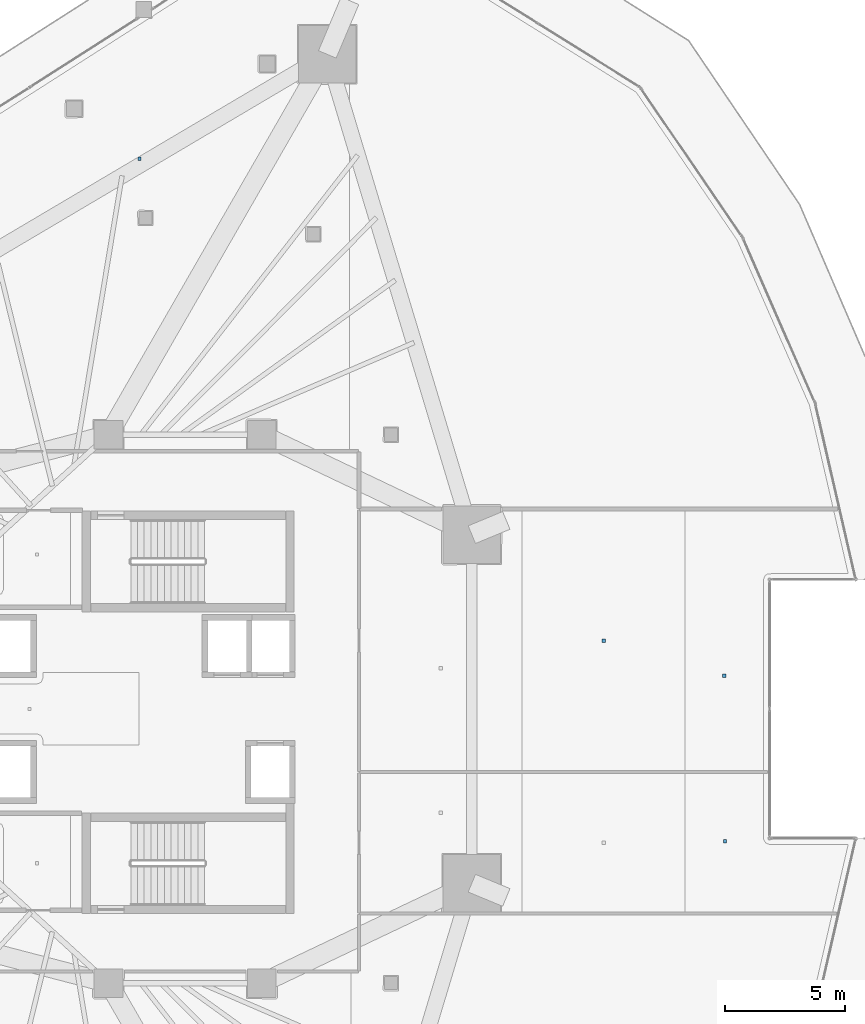
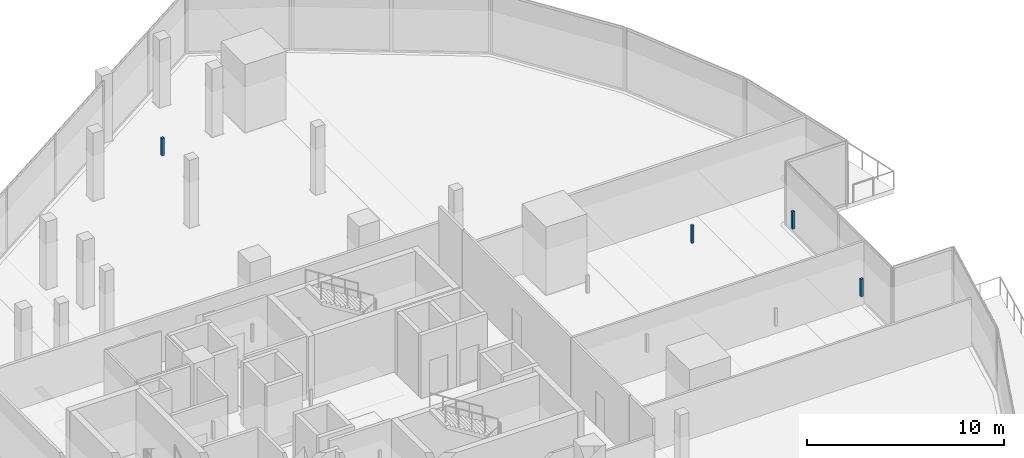
# One storey, part 33 of 42: 4 discrete accessories.
"""IFC4 building model written with IfcOpenShell, lengths in metres."""

from ifc_helpers import new_model, si_unit, direction, frame, origin, origin_2d, place, context, subcontext, project, spatial, rectangle, extrude, material, type_object, element, save


model = new_model("IFC4")

# Units and contexts
model_context = context("Model", 3, precision=1e-05, world=origin(), true_north=direction((0.0, 1.0)))
body_context = subcontext(model_context, "Body", "Model", "MODEL_VIEW")
ifc_project = project(units=[si_unit("LENGTHUNIT", "METRE"), si_unit("AREAUNIT", "SQUARE_METRE"), si_unit("VOLUMEUNIT", "CUBIC_METRE"), si_unit("PLANEANGLEUNIT", "RADIAN"), si_unit("MASSUNIT", "GRAM", prefix="KILO")], contexts=[model_context])

# Site, building, storey
site_placement = place(None, origin())
site = spatial("IfcSite", under=ifc_project, at=site_placement, CompositionType="ELEMENT")
building_placement = place(site_placement, origin())
building = spatial("IfcBuilding", under=site, at=building_placement, Name="Qorvath Tower", CompositionType="ELEMENT")
storey_placement = place(building_placement, frame((0.0, 0.0, 32.39990234375)))
storey = spatial("IfcBuildingStorey", under=building, at=storey_placement, Name="L06", CompositionType="ELEMENT", Elevation=32.39990234375)

# Discrete accessories
ifc_material = material(Name="Galvanised steel bracket", Category="steel")
discrete_accessory_type = type_object("IfcDiscreteAccessoryType", Name="DA-BRACKET", PredefinedType="BRACKET", material=ifc_material)
for number, where, z_axis, x_axis, name in (
    (1, (-22.31005859375, 22.970703125, 2.85986328125), (0.0, 0.0, 1.0), (1.0, 0.0, 0.0), "Acoustic Ceiling Suspension Hanger T1-L06-011"),
    (2, (-2.92626953125, 2.853515625, 2.85986328125), (0.0, 0.0, 1.0), (1.0, 0.0, 0.0), "Acoustic Ceiling Suspension Hanger T1-L06-017"),
    (3, (2.113525390625, 1.385009765625, 2.85986328125), (0.0, 0.0, 1.0), (1.0, 0.0, 0.0), "Acoustic Ceiling Suspension Hanger T1-L06-018"),
    (4, (2.1376953125, -5.522216796875, 2.85986328125), (0.0, 0.0, 1.0), (1.0, 0.0, 0.0), "Acoustic Ceiling Suspension Hanger T1-L06-021"),
):
    element("IfcDiscreteAccessory", number, at=place(storey_placement, frame(where, z_axis=z_axis, x_axis=x_axis)), inside=storey, type_object=discrete_accessory_type, Name=name, PredefinedType="NOTDEFINED", context=body_context, shape_type="SweptSolid", body=[
        extrude(rectangle(XDim=0.139892578125, YDim=0.139892578125, at=origin_2d()), origin(), (0.0, 0.0, 1.0), 1.090087890625),
    ])

save(model, "model.ifc")
